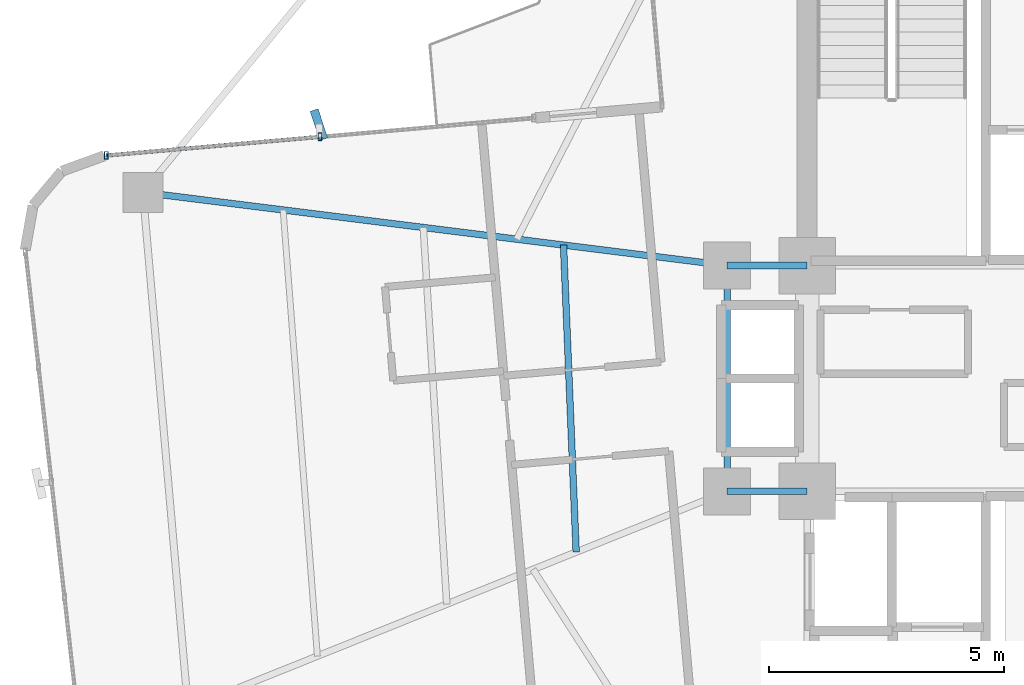
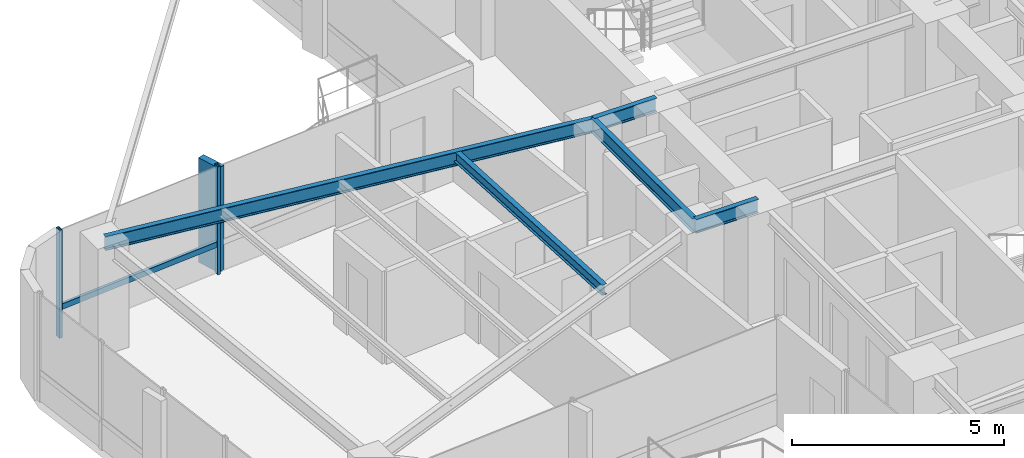
# One storey, part 9 of 24: 5 beams, 4 members, 1 element without a shape of its own.
"""IFC4 building model written with IfcOpenShell, lengths in metres."""

from ifc_helpers import new_model, si_unit, direction, frame, origin, origin_2d, place, context, subcontext, project, spatial, rectangle, hollow_rectangle, i_section, extrude, source, transform, mapped, material, material_profile, profile_set, type_object, element, aggregate, save


model = new_model("IFC4")

# Units and contexts
model_context = context("Model", 3, precision=1e-05, world=origin(), true_north=direction((0.0, 1.0)))
body_context = subcontext(model_context, "Body", "Model", "MODEL_VIEW")
ifc_project = project(units=[si_unit("LENGTHUNIT", "METRE"), si_unit("AREAUNIT", "SQUARE_METRE"), si_unit("VOLUMEUNIT", "CUBIC_METRE"), si_unit("PLANEANGLEUNIT", "RADIAN"), si_unit("MASSUNIT", "GRAM", prefix="KILO")], contexts=[model_context])

# Site, building, storey
site_placement = place(None, origin())
site = spatial("IfcSite", under=ifc_project, at=site_placement, CompositionType="ELEMENT")
building_placement = place(site_placement, origin())
building = spatial("IfcBuilding", under=site, at=building_placement, Name="Sahyath Konkavel Grand Hotel", CompositionType="ELEMENT")
storey_placement = place(building_placement, frame((0.0, 0.0, 191.949951171875)))
storey = spatial("IfcBuildingStorey", under=building, at=storey_placement, Name="L53", CompositionType="ELEMENT", Elevation=191.949951171875)

# Beams
ifc_material_1 = material(Name="Steel E350", Category="steel")
ifc_material_profile_1 = material_profile(ifc_material_1, i_section(OverallWidth=0.139892578125, OverallDepth=0.39990234375, WebThickness=0.0087890625, FlangeThickness=0.01611328125, FilletRadius=0.013916015625, at=origin_2d()), Name="ISMB 400")
ifc_profile_set_1 = profile_set([ifc_material_profile_1], Name="Steel E350")
beam_type_1 = type_object("IfcBeamType", Name="BM-ISMB400", PredefinedType="BEAM", material=ifc_profile_set_1)
shared_shape_1 = source(origin(), body_context, "Body", "SweptSolid", [
    extrude(i_section(OverallWidth=0.139892578125, OverallDepth=0.39990234375, WebThickness=0.0087890625, FlangeThickness=0.01611328125, FilletRadius=0.013916015625, at=origin_2d()), origin(), (0.0, 0.0, 1.0), 1.699951171875),
])
for number, where, z_axis, x_axis, name in (
    (1, (-5.5, 2.39990234375, 2.91015625), (1.0, 0.0, 0.0), (0.0, 1.0, 0.0), "str:bm:L53:HB-NW"),
    (2, (-5.5, -2.39990234375, 2.91015625), (1.0, 0.0, 0.0), (0.0, 1.0, 0.0), "str:bm:L53:HB-SW"),
):
    element("IfcBeam", number, at=place(storey_placement, frame(where, z_axis=z_axis, x_axis=x_axis)), inside=storey, type_object=beam_type_1, Name=name, PredefinedType="BEAM", context=body_context, shape_type="MappedRepresentation", body=[
        mapped(shared_shape_1, transform((0.0, 0.0, 0.0), scale=1.0)),
    ])
shared_shape_2 = source(origin(), body_context, "Body", "SweptSolid", [
    extrude(i_section(OverallWidth=0.139892578125, OverallDepth=0.39990234375, WebThickness=0.0087890625, FlangeThickness=0.01611328125, FilletRadius=0.013916015625, at=origin_2d()), origin(), (0.0, 0.0, 1.0), 4.7998046875),
])
beam_1_placement = place(storey_placement, frame((-5.5, -2.39990234375, 2.91015625), z_axis=(0.0, 1.0, 0.0), x_axis=(-1.0, 0.0, 0.0)))
element("IfcBeam", 3, at=beam_1_placement, inside=storey, type_object=beam_type_1, Name="str:bm:L53:HB-W", PredefinedType="BEAM", context=body_context, shape_type="MappedRepresentation", body=[
    mapped(shared_shape_2, transform((0.0, 0.0, 0.0), scale=1.0)),
])
shared_shape_3 = source(origin(), body_context, "Body", "SweptSolid", [
    extrude(i_section(OverallWidth=0.139892578125, OverallDepth=0.39990234375, WebThickness=0.0087890625, FlangeThickness=0.01611328125, FilletRadius=0.013916015625, at=origin_2d()), origin(), (0.0, 0.0, 1.0), 12.509765625),
])
beam_2_placement = place(storey_placement, frame((-5.5, 2.39990234375, 2.91015625), z_axis=(-0.992254740459, 0.124219684578, 0.0), x_axis=(-0.124219684578, -0.992254740459, 0.0)))
element("IfcBeam", 4, at=beam_2_placement, inside=storey, type_object=beam_type_1, Name="L53 Cruciform Radial Girder WA", PredefinedType="BEAM", context=body_context, shape_type="MappedRepresentation", body=[
    mapped(shared_shape_3, transform((0.0, 0.0, 0.0), scale=1.0)),
])
ifc_material_profile_2 = material_profile(ifc_material_1, i_section(OverallWidth=0.139892578125, OverallDepth=0.300048828125, WebThickness=0.0078125, FlangeThickness=0.01318359375, FilletRadius=0.013916015625, at=origin_2d()), Name="ISMB 300")
ifc_profile_set_2 = profile_set([ifc_material_profile_2], Name="Steel E350")
beam_type_2 = type_object("IfcBeamType", Name="BM-ISMB300", PredefinedType="BEAM", material=ifc_profile_set_2)
shared_shape_4 = source(origin(), body_context, "Body", "SweptSolid", [
    extrude(i_section(OverallWidth=0.139892578125, OverallDepth=0.300048828125, WebThickness=0.0078125, FlangeThickness=0.01318359375, FilletRadius=0.013916015625, at=origin_2d()), origin(), (0.0, 0.0, 1.0), 6.530029296875),
])
beam_3_placement = place(storey_placement, frame((-8.9755859375, 2.835205078125, 2.9599609375), z_axis=(0.04112667768, -0.999153940283, 0.0), x_axis=(0.999153940283, 0.04112667768, 0.0)))
element("IfcBeam", 5, at=beam_3_placement, inside=storey, type_object=beam_type_2, Name="L53 Secondary Floor Beam W-1", PredefinedType="BEAM", context=body_context, shape_type="MappedRepresentation", body=[
    mapped(shared_shape_4, transform((0.0, 0.0, 0.0), scale=1.0)),
])

# Curtain wall, members
ifc_material_2 = material(Name="Anodised Bronze Aluminium & Low-E Glazing", Category="aluminium")
curtain_wall_type = type_object("IfcCurtainWallType", Name="CW-ZONE3", PredefinedType="NOTDEFINED", material=ifc_material_2)
curtain_wall_placement = place(storey_placement, origin())
curtain_wall = element("IfcCurtainWall", 6, at=curtain_wall_placement, inside=storey, type_object=curtain_wall_type, Name="L53 Unitised Curtain Wall F16", PredefinedType="NOTDEFINED")
ifc_material_3 = material(Name="Warm Buff Sandstone Cladding on Concrete C50/60", Category="masonry")
ifc_material_profile_3 = material_profile(ifc_material_3, rectangle(XDim=0.179931640625, YDim=0.64990234375, at=origin_2d()), Name="FIN 180x650")
ifc_profile_set_3 = profile_set([ifc_material_profile_3], Name="Warm Buff Sandstone Cladding on Concrete C50/60")
member_type_1 = type_object("IfcMemberType", Name="FIN-SANDSTONE-650", PredefinedType="MULLION", material=ifc_profile_set_3)
shared_shape_5 = source(origin(), body_context, "Body", "SweptSolid", [
    extrude(rectangle(XDim=0.179931640625, YDim=0.64990234375, at=origin_2d()), origin(), (0.0, 0.0, 1.0), 3.010009765625),
])
member_1_placement = place(storey_placement, frame((-14.17431640625, 5.39501953125, 0.050048828125), z_axis=(0.0, 0.0, 1.0), x_axis=(0.951110435449, 0.308850998993, 0.0)))
member_1 = element("IfcMember", 7, at=member_1_placement, type_object=member_type_1, Name="L53 Sandstone Vertical Solar Fin FIN F16-1", PredefinedType="MULLION", context=body_context, shape_type="MappedRepresentation", body=[
    mapped(shared_shape_5, transform((0.0, 0.0, 0.0), scale=1.0)),
])
ifc_material_4 = material(Name="Anodised Bronze Aluminium", Category="aluminium")
ifc_material_profile_4 = material_profile(ifc_material_4, hollow_rectangle(XDim=0.080078125, YDim=0.159912109375, WallThickness=0.006103515625, at=origin_2d()), Name="RHS 160x80x6")
ifc_profile_set_4 = profile_set([ifc_material_profile_4], Name="Anodised Bronze Aluminium")
member_type_2 = type_object("IfcMemberType", Name="CW-MUL-160", PredefinedType="MULLION", material=ifc_profile_set_4)
shared_shape_6 = source(origin(), body_context, "Body", "SweptSolid", [
    extrude(hollow_rectangle(XDim=0.080078125, YDim=0.159912109375, WallThickness=0.006103515625, at=origin_2d()), origin(), (0.0, 0.0, 1.0), 3.110107421875),
])
member_2_placement = place(storey_placement, frame((-14.151611328125, 5.135986328125, 0.0), z_axis=(0.0, 0.0, 1.0), x_axis=(1.0, 0.0, 0.0)))
member_2 = element("IfcMember", 8, at=member_2_placement, type_object=member_type_2, Name="L53 Curtain Wall Mullion F16-1", PredefinedType="MULLION", context=body_context, shape_type="MappedRepresentation", body=[
    mapped(shared_shape_6, transform((0.0, 0.0, 0.0), scale=1.0)),
])
member_3_placement = place(storey_placement, frame((-18.694091796875, 4.73876953125, 0.0), z_axis=(0.0, 0.0, 1.0), x_axis=(1.0, 0.0, 0.0)))
member_3 = element("IfcMember", 9, at=member_3_placement, type_object=member_type_2, Name="L53 Curtain Wall Mullion F16-2", PredefinedType="MULLION", context=body_context, shape_type="MappedRepresentation", body=[
    mapped(shared_shape_6, transform((0.0, 0.0, 0.0), scale=1.0)),
])
ifc_material_profile_5 = material_profile(ifc_material_4, hollow_rectangle(XDim=0.080078125, YDim=0.159912109375, WallThickness=0.006103515625, at=origin_2d()), Name="RHS 160x80x6")
ifc_profile_set_5 = profile_set([ifc_material_profile_5], Name="Anodised Bronze Aluminium")
member_type_3 = type_object("IfcMemberType", Name="CW-TRN-160", PredefinedType="USERDEFINED", material=ifc_profile_set_5)
shared_shape_7 = source(origin(), body_context, "Body", "SweptSolid", [
    extrude(hollow_rectangle(XDim=0.080078125, YDim=0.159912109375, WallThickness=0.006103515625, at=origin_2d()), origin(), (0.0, 0.0, 1.0), 4.559814453125),
])
member_4_placement = place(storey_placement, frame((-14.151611328125, 5.135986328125, 0.85009765625), z_axis=(-0.99619848155, -0.087112486804, 0.0), x_axis=(0.087112486804, -0.99619848155, 0.0)))
member_4 = element("IfcMember", 10, at=member_4_placement, type_object=member_type_3, Name="L53 Curtain Wall Transom F16-1-spandrel", ObjectType="TRANSOM", PredefinedType="USERDEFINED", context=body_context, shape_type="MappedRepresentation", body=[
    mapped(shared_shape_7, transform((0.0, 0.0, 0.0), scale=1.0)),
])
aggregate(curtain_wall, [member_2, member_1, member_3, member_4])

save(model, "model.ifc")
